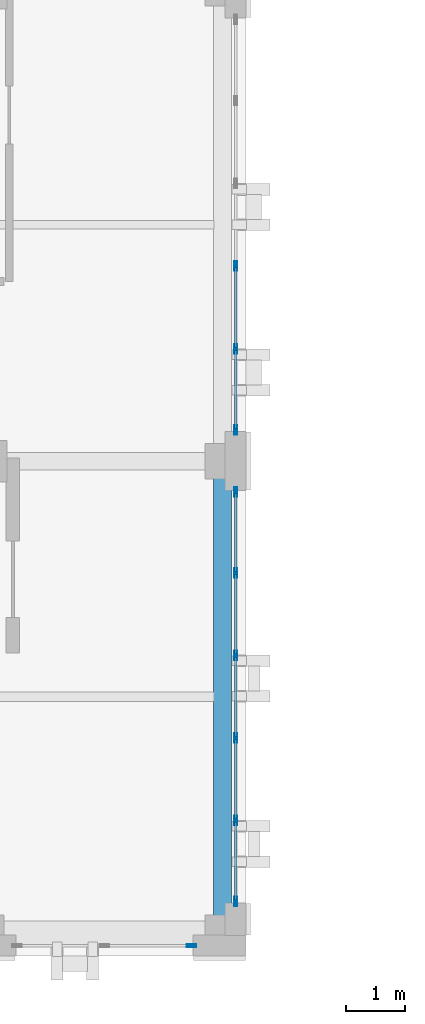
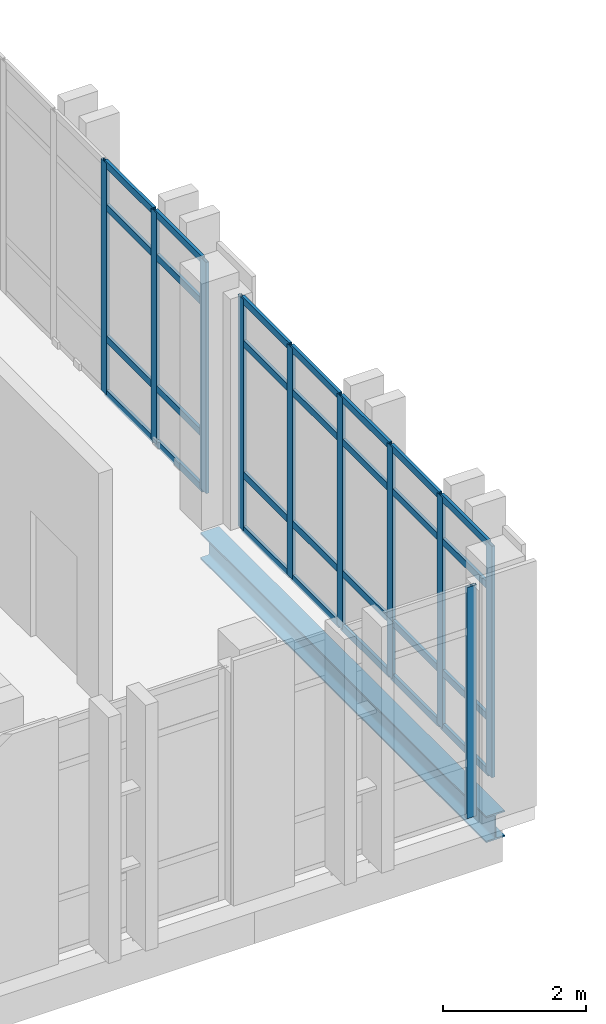
# One storey, part 7 of 48: 38 members, 1 beam, 3 elements without a shape of their own.
"""IFC4 building model written with IfcOpenShell, lengths in metres."""

from ifc_helpers import new_model, si_unit, direction, frame, origin, origin_2d, place, context, subcontext, project, spatial, hollow_rectangle, i_section, extrude, material, layer, layer_set, material_profile, profile_set, type_object, element, aggregate, save


model = new_model("IFC4")

# Units and contexts
model_context = context("Model", 3, precision=1e-05, world=origin(), true_north=direction((0.0, 1.0)))
body_context = subcontext(model_context, "Body", "Model", "MODEL_VIEW")
ifc_project = project(units=[si_unit("LENGTHUNIT", "METRE"), si_unit("AREAUNIT", "SQUARE_METRE"), si_unit("VOLUMEUNIT", "CUBIC_METRE"), si_unit("PLANEANGLEUNIT", "RADIAN"), si_unit("MASSUNIT", "GRAM", prefix="KILO")], contexts=[model_context])

# Site, building, storey
site_placement = place(None, origin())
site = spatial("IfcSite", under=ifc_project, at=site_placement, CompositionType="ELEMENT")
building_placement = place(site_placement, origin())
building = spatial("IfcBuilding", under=site, at=building_placement, Name="Qalavern Law Courts", CompositionType="ELEMENT")
storey_placement = place(building_placement, frame((0.0, 0.0, 31.199951171875)))
storey = spatial("IfcBuildingStorey", under=building, at=storey_placement, Name="L07", CompositionType="ELEMENT", Elevation=31.199951171875)

# Curtain wall, member
ifc_material_1 = material(Name="Anodised aluminium and insulated glazing", Category="aluminium")
ifc_layer = layer(ifc_material_1, 0.159912109375)
ifc_layer_set = layer_set([ifc_layer], Name="Anodised aluminium and insulated glazing")
curtain_wall_type = type_object("IfcCurtainWallType", Name="ENV-CW-CHAMB", PredefinedType="USERDEFINED", material=ifc_layer_set)
curtain_wall_1_placement = place(storey_placement, origin())
curtain_wall_1 = element("IfcCurtainWall", 1, at=curtain_wall_1_placement, inside=storey, type_object=curtain_wall_type, Name="V3 unitised curtain wall L07 south 2", ObjectType="UNITISED CURTAIN WALL", PredefinedType="USERDEFINED")
ifc_material_2 = material(Name="Anodised aluminium", Category="aluminium")
ifc_material_profile_1 = material_profile(ifc_material_2, hollow_rectangle(XDim=0.048095703125, YDim=0.159912109375, WallThickness=0.00390625, at=origin_2d()), Name="ALU MULLION 48x160")
ifc_profile_set_1 = profile_set([ifc_material_profile_1], Name="Anodised aluminium")
member_type_1 = type_object("IfcMemberType", Name="ENV-CWM-48x160", PredefinedType="MULLION", material=ifc_profile_set_1)
member_1_placement = place(storey_placement, frame((17.8759765625, 41.197509765625, 0.0), z_axis=(0.0, 0.0, 1.0), x_axis=(0.0, 1.0, 0.0)))
member_1 = element("IfcMember", 2, at=member_1_placement, type_object=member_type_1, Name="CW-04 mullion 3", PredefinedType="MULLION", context=body_context, shape_type="SweptSolid", body=[
    extrude(hollow_rectangle(XDim=0.048095703125, YDim=0.159912109375, WallThickness=0.00390625, at=origin_2d()), origin(), (0.0, 0.0, 1.0), 3.93994140625),
])
aggregate(curtain_wall_1, [member_1])

# Curtain wall, members
curtain_wall_2_placement = place(storey_placement, origin())
curtain_wall_2 = element("IfcCurtainWall", 3, at=curtain_wall_2_placement, inside=storey, type_object=curtain_wall_type, Name="V3 unitised curtain wall L07 east 1", ObjectType="UNITISED CURTAIN WALL", PredefinedType="USERDEFINED")
member_2_placement = place(storey_placement, frame((18.62255859375, 41.944091796875, 0.0), z_axis=(0.0, 0.0, 1.0), x_axis=(-1.0, 0.0, 0.0)))
member_2 = element("IfcMember", 4, at=member_2_placement, type_object=member_type_1, Name="CW-04 mullion 1", PredefinedType="MULLION", context=body_context, shape_type="SweptSolid", body=[
    extrude(hollow_rectangle(XDim=0.048095703125, YDim=0.159912109375, WallThickness=0.00390625, at=origin_2d()), origin(), (0.0, 0.0, 1.0), 3.93994140625),
])
member_3_placement = place(storey_placement, frame((18.62255859375, 43.31591796875, 0.0), z_axis=(0.0, 0.0, 1.0), x_axis=(-1.0, 0.0, 0.0)))
member_3 = element("IfcMember", 5, at=member_3_placement, type_object=member_type_1, Name="CW-04 mullion 2", PredefinedType="MULLION", context=body_context, shape_type="SweptSolid", body=[
    extrude(hollow_rectangle(XDim=0.048095703125, YDim=0.159912109375, WallThickness=0.00390625, at=origin_2d()), origin(), (0.0, 0.0, 1.0), 3.93994140625),
])
member_4_placement = place(storey_placement, frame((18.62255859375, 44.7119140625, 0.0), z_axis=(0.0, 0.0, 1.0), x_axis=(-1.0, 0.0, 0.0)))
member_4 = element("IfcMember", 6, at=member_4_placement, type_object=member_type_1, Name="CW-04 mullion 3", PredefinedType="MULLION", context=body_context, shape_type="SweptSolid", body=[
    extrude(hollow_rectangle(XDim=0.048095703125, YDim=0.159912109375, WallThickness=0.00390625, at=origin_2d()), origin(), (0.0, 0.0, 1.0), 3.93994140625),
])
member_5_placement = place(storey_placement, frame((18.62255859375, 46.10791015625, 0.0), z_axis=(0.0, 0.0, 1.0), x_axis=(-1.0, 0.0, 0.0)))
member_5 = element("IfcMember", 7, at=member_5_placement, type_object=member_type_1, Name="CW-04 mullion 4", PredefinedType="MULLION", context=body_context, shape_type="SweptSolid", body=[
    extrude(hollow_rectangle(XDim=0.048095703125, YDim=0.159912109375, WallThickness=0.00390625, at=origin_2d()), origin(), (0.0, 0.0, 1.0), 3.93994140625),
])
member_6_placement = place(storey_placement, frame((18.62255859375, 47.50390625, 0.0), z_axis=(0.0, 0.0, 1.0), x_axis=(-1.0, 0.0, 0.0)))
member_6 = element("IfcMember", 8, at=member_6_placement, type_object=member_type_1, Name="CW-04 mullion 5", PredefinedType="MULLION", context=body_context, shape_type="SweptSolid", body=[
    extrude(hollow_rectangle(XDim=0.048095703125, YDim=0.159912109375, WallThickness=0.00390625, at=origin_2d()), origin(), (0.0, 0.0, 1.0), 3.93994140625),
])
member_7_placement = place(storey_placement, frame((18.62255859375, 48.8759765625, 0.0), z_axis=(0.0, 0.0, 1.0), x_axis=(-1.0, 0.0, 0.0)))
member_7 = element("IfcMember", 9, at=member_7_placement, type_object=member_type_1, Name="CW-04 mullion 6", PredefinedType="MULLION", context=body_context, shape_type="SweptSolid", body=[
    extrude(hollow_rectangle(XDim=0.048095703125, YDim=0.159912109375, WallThickness=0.00390625, at=origin_2d()), origin(), (0.0, 0.0, 1.0), 3.93994140625),
])

curtain_wall_3_placement = place(storey_placement, origin())
curtain_wall_3 = element("IfcCurtainWall", 10, at=curtain_wall_3_placement, inside=storey, type_object=curtain_wall_type, Name="V3 unitised curtain wall L07 east 2", ObjectType="UNITISED CURTAIN WALL", PredefinedType="USERDEFINED")
member_8_placement = place(storey_placement, frame((18.62255859375, 49.924072265625, 0.0), z_axis=(0.0, 0.0, 1.0), x_axis=(-1.0, 0.0, 0.0)))
member_8 = element("IfcMember", 11, at=member_8_placement, type_object=member_type_1, Name="CW-04 mullion 1", PredefinedType="MULLION", context=body_context, shape_type="SweptSolid", body=[
    extrude(hollow_rectangle(XDim=0.048095703125, YDim=0.159912109375, WallThickness=0.00390625, at=origin_2d()), origin(), (0.0, 0.0, 1.0), 3.93994140625),
])
member_9_placement = place(storey_placement, frame((18.62255859375, 51.300048828125, 0.0), z_axis=(0.0, 0.0, 1.0), x_axis=(-1.0, 0.0, 0.0)))
member_9 = element("IfcMember", 12, at=member_9_placement, type_object=member_type_1, Name="CW-04 mullion 2", PredefinedType="MULLION", context=body_context, shape_type="SweptSolid", body=[
    extrude(hollow_rectangle(XDim=0.048095703125, YDim=0.159912109375, WallThickness=0.00390625, at=origin_2d()), origin(), (0.0, 0.0, 1.0), 3.93994140625),
])
member_10_placement = place(storey_placement, frame((18.62255859375, 52.699951171875, 0.0), z_axis=(0.0, 0.0, 1.0), x_axis=(-1.0, 0.0, 0.0)))
member_10 = element("IfcMember", 13, at=member_10_placement, type_object=member_type_1, Name="CW-04 mullion 3", PredefinedType="MULLION", context=body_context, shape_type="SweptSolid", body=[
    extrude(hollow_rectangle(XDim=0.048095703125, YDim=0.159912109375, WallThickness=0.00390625, at=origin_2d()), origin(), (0.0, 0.0, 1.0), 3.93994140625),
])

# Member
ifc_material_profile_2 = material_profile(ifc_material_2, hollow_rectangle(XDim=0.048095703125, YDim=0.1201171875, WallThickness=0.00390625, at=origin_2d()), Name="ALU TRANSOM 48x120")
ifc_profile_set_2 = profile_set([ifc_material_profile_2], Name="Anodised aluminium")
member_type_2 = type_object("IfcMemberType", Name="ENV-CWT-48x120", PredefinedType="USERDEFINED", material=ifc_profile_set_2)
member_11_placement = place(storey_placement, frame((18.62255859375, 41.968017578125, 0.024169921875), z_axis=(0.0, 1.0, 0.0), x_axis=(-1.0, 0.0, 0.0)))
member_11 = element("IfcMember", 14, at=member_11_placement, type_object=member_type_2, Name="CW-04 transom 1.1", ObjectType="TRANSOM", PredefinedType="USERDEFINED", context=body_context, shape_type="SweptSolid", body=[
    extrude(hollow_rectangle(XDim=0.048095703125, YDim=0.1201171875, WallThickness=0.00390625, at=origin_2d()), origin(), (0.0, 0.0, 1.0), 1.323974609375),
])

member_12_placement = place(storey_placement, frame((18.62255859375, 41.968017578125, 0.949951171875), z_axis=(0.0, 1.0, 0.0), x_axis=(-1.0, 0.0, 0.0)))
member_12 = element("IfcMember", 15, at=member_12_placement, type_object=member_type_2, Name="CW-04 transom 1.2", ObjectType="TRANSOM", PredefinedType="USERDEFINED", context=body_context, shape_type="SweptSolid", body=[
    extrude(hollow_rectangle(XDim=0.048095703125, YDim=0.1201171875, WallThickness=0.00390625, at=origin_2d()), origin(), (0.0, 0.0, 1.0), 1.323974609375),
])

member_13_placement = place(storey_placement, frame((18.62255859375, 41.968017578125, 3.18994140625), z_axis=(0.0, 1.0, 0.0), x_axis=(-1.0, 0.0, 0.0)))
member_13 = element("IfcMember", 16, at=member_13_placement, type_object=member_type_2, Name="CW-04 transom 1.3", ObjectType="TRANSOM", PredefinedType="USERDEFINED", context=body_context, shape_type="SweptSolid", body=[
    extrude(hollow_rectangle(XDim=0.048095703125, YDim=0.1201171875, WallThickness=0.00390625, at=origin_2d()), origin(), (0.0, 0.0, 1.0), 1.323974609375),
])

member_14_placement = place(storey_placement, frame((18.62255859375, 41.968017578125, 3.916015625), z_axis=(0.0, 1.0, 0.0), x_axis=(-1.0, 0.0, 0.0)))
member_14 = element("IfcMember", 17, at=member_14_placement, type_object=member_type_2, Name="CW-04 transom 1.4", ObjectType="TRANSOM", PredefinedType="USERDEFINED", context=body_context, shape_type="SweptSolid", body=[
    extrude(hollow_rectangle(XDim=0.048095703125, YDim=0.1201171875, WallThickness=0.00390625, at=origin_2d()), origin(), (0.0, 0.0, 1.0), 1.323974609375),
])

member_15_placement = place(storey_placement, frame((18.62255859375, 43.340087890625, 0.024169921875), z_axis=(0.0, 1.0, 0.0), x_axis=(-1.0, 0.0, 0.0)))
member_15 = element("IfcMember", 18, at=member_15_placement, type_object=member_type_2, Name="CW-04 transom 2.1", ObjectType="TRANSOM", PredefinedType="USERDEFINED", context=body_context, shape_type="SweptSolid", body=[
    extrude(hollow_rectangle(XDim=0.048095703125, YDim=0.1201171875, WallThickness=0.00390625, at=origin_2d()), origin(), (0.0, 0.0, 1.0), 1.347900390625),
])

member_16_placement = place(storey_placement, frame((18.62255859375, 43.340087890625, 0.949951171875), z_axis=(0.0, 1.0, 0.0), x_axis=(-1.0, 0.0, 0.0)))
member_16 = element("IfcMember", 19, at=member_16_placement, type_object=member_type_2, Name="CW-04 transom 2.2", ObjectType="TRANSOM", PredefinedType="USERDEFINED", context=body_context, shape_type="SweptSolid", body=[
    extrude(hollow_rectangle(XDim=0.048095703125, YDim=0.1201171875, WallThickness=0.00390625, at=origin_2d()), origin(), (0.0, 0.0, 1.0), 1.347900390625),
])

member_17_placement = place(storey_placement, frame((18.62255859375, 43.340087890625, 3.18994140625), z_axis=(0.0, 1.0, 0.0), x_axis=(-1.0, 0.0, 0.0)))
member_17 = element("IfcMember", 20, at=member_17_placement, type_object=member_type_2, Name="CW-04 transom 2.3", ObjectType="TRANSOM", PredefinedType="USERDEFINED", context=body_context, shape_type="SweptSolid", body=[
    extrude(hollow_rectangle(XDim=0.048095703125, YDim=0.1201171875, WallThickness=0.00390625, at=origin_2d()), origin(), (0.0, 0.0, 1.0), 1.347900390625),
])

member_18_placement = place(storey_placement, frame((18.62255859375, 43.340087890625, 3.916015625), z_axis=(0.0, 1.0, 0.0), x_axis=(-1.0, 0.0, 0.0)))
member_18 = element("IfcMember", 21, at=member_18_placement, type_object=member_type_2, Name="CW-04 transom 2.4", ObjectType="TRANSOM", PredefinedType="USERDEFINED", context=body_context, shape_type="SweptSolid", body=[
    extrude(hollow_rectangle(XDim=0.048095703125, YDim=0.1201171875, WallThickness=0.00390625, at=origin_2d()), origin(), (0.0, 0.0, 1.0), 1.347900390625),
])

member_19_placement = place(storey_placement, frame((18.62255859375, 44.736083984375, 0.024169921875), z_axis=(0.0, 1.0, 0.0), x_axis=(-1.0, 0.0, 0.0)))
member_19 = element("IfcMember", 22, at=member_19_placement, type_object=member_type_2, Name="CW-04 transom 3.1", ObjectType="TRANSOM", PredefinedType="USERDEFINED", context=body_context, shape_type="SweptSolid", body=[
    extrude(hollow_rectangle(XDim=0.048095703125, YDim=0.1201171875, WallThickness=0.00390625, at=origin_2d()), origin(), (0.0, 0.0, 1.0), 1.347900390625),
])

member_20_placement = place(storey_placement, frame((18.62255859375, 44.736083984375, 0.949951171875), z_axis=(0.0, 1.0, 0.0), x_axis=(-1.0, 0.0, 0.0)))
member_20 = element("IfcMember", 23, at=member_20_placement, type_object=member_type_2, Name="CW-04 transom 3.2", ObjectType="TRANSOM", PredefinedType="USERDEFINED", context=body_context, shape_type="SweptSolid", body=[
    extrude(hollow_rectangle(XDim=0.048095703125, YDim=0.1201171875, WallThickness=0.00390625, at=origin_2d()), origin(), (0.0, 0.0, 1.0), 1.347900390625),
])

member_21_placement = place(storey_placement, frame((18.62255859375, 44.736083984375, 3.18994140625), z_axis=(0.0, 1.0, 0.0), x_axis=(-1.0, 0.0, 0.0)))
member_21 = element("IfcMember", 24, at=member_21_placement, type_object=member_type_2, Name="CW-04 transom 3.3", ObjectType="TRANSOM", PredefinedType="USERDEFINED", context=body_context, shape_type="SweptSolid", body=[
    extrude(hollow_rectangle(XDim=0.048095703125, YDim=0.1201171875, WallThickness=0.00390625, at=origin_2d()), origin(), (0.0, 0.0, 1.0), 1.347900390625),
])

member_22_placement = place(storey_placement, frame((18.62255859375, 44.736083984375, 3.916015625), z_axis=(0.0, 1.0, 0.0), x_axis=(-1.0, 0.0, 0.0)))
member_22 = element("IfcMember", 25, at=member_22_placement, type_object=member_type_2, Name="CW-04 transom 3.4", ObjectType="TRANSOM", PredefinedType="USERDEFINED", context=body_context, shape_type="SweptSolid", body=[
    extrude(hollow_rectangle(XDim=0.048095703125, YDim=0.1201171875, WallThickness=0.00390625, at=origin_2d()), origin(), (0.0, 0.0, 1.0), 1.347900390625),
])

member_23_placement = place(storey_placement, frame((18.62255859375, 46.132080078125, 0.024169921875), z_axis=(0.0, 1.0, 0.0), x_axis=(-1.0, 0.0, 0.0)))
member_23 = element("IfcMember", 26, at=member_23_placement, type_object=member_type_2, Name="CW-04 transom 4.1", ObjectType="TRANSOM", PredefinedType="USERDEFINED", context=body_context, shape_type="SweptSolid", body=[
    extrude(hollow_rectangle(XDim=0.048095703125, YDim=0.1201171875, WallThickness=0.00390625, at=origin_2d()), origin(), (0.0, 0.0, 1.0), 1.347900390625),
])

member_24_placement = place(storey_placement, frame((18.62255859375, 46.132080078125, 0.949951171875), z_axis=(0.0, 1.0, 0.0), x_axis=(-1.0, 0.0, 0.0)))
member_24 = element("IfcMember", 27, at=member_24_placement, type_object=member_type_2, Name="CW-04 transom 4.2", ObjectType="TRANSOM", PredefinedType="USERDEFINED", context=body_context, shape_type="SweptSolid", body=[
    extrude(hollow_rectangle(XDim=0.048095703125, YDim=0.1201171875, WallThickness=0.00390625, at=origin_2d()), origin(), (0.0, 0.0, 1.0), 1.347900390625),
])

member_25_placement = place(storey_placement, frame((18.62255859375, 46.132080078125, 3.18994140625), z_axis=(0.0, 1.0, 0.0), x_axis=(-1.0, 0.0, 0.0)))
member_25 = element("IfcMember", 28, at=member_25_placement, type_object=member_type_2, Name="CW-04 transom 4.3", ObjectType="TRANSOM", PredefinedType="USERDEFINED", context=body_context, shape_type="SweptSolid", body=[
    extrude(hollow_rectangle(XDim=0.048095703125, YDim=0.1201171875, WallThickness=0.00390625, at=origin_2d()), origin(), (0.0, 0.0, 1.0), 1.347900390625),
])

member_26_placement = place(storey_placement, frame((18.62255859375, 46.132080078125, 3.916015625), z_axis=(0.0, 1.0, 0.0), x_axis=(-1.0, 0.0, 0.0)))
member_26 = element("IfcMember", 29, at=member_26_placement, type_object=member_type_2, Name="CW-04 transom 4.4", ObjectType="TRANSOM", PredefinedType="USERDEFINED", context=body_context, shape_type="SweptSolid", body=[
    extrude(hollow_rectangle(XDim=0.048095703125, YDim=0.1201171875, WallThickness=0.00390625, at=origin_2d()), origin(), (0.0, 0.0, 1.0), 1.347900390625),
])

member_27_placement = place(storey_placement, frame((18.62255859375, 47.528076171875, 0.024169921875), z_axis=(0.0, 1.0, 0.0), x_axis=(-1.0, 0.0, 0.0)))
member_27 = element("IfcMember", 30, at=member_27_placement, type_object=member_type_2, Name="CW-04 transom 5.1", ObjectType="TRANSOM", PredefinedType="USERDEFINED", context=body_context, shape_type="SweptSolid", body=[
    extrude(hollow_rectangle(XDim=0.048095703125, YDim=0.1201171875, WallThickness=0.00390625, at=origin_2d()), origin(), (0.0, 0.0, 1.0), 1.323974609375),
])

member_28_placement = place(storey_placement, frame((18.62255859375, 47.528076171875, 0.949951171875), z_axis=(0.0, 1.0, 0.0), x_axis=(-1.0, 0.0, 0.0)))
member_28 = element("IfcMember", 31, at=member_28_placement, type_object=member_type_2, Name="CW-04 transom 5.2", ObjectType="TRANSOM", PredefinedType="USERDEFINED", context=body_context, shape_type="SweptSolid", body=[
    extrude(hollow_rectangle(XDim=0.048095703125, YDim=0.1201171875, WallThickness=0.00390625, at=origin_2d()), origin(), (0.0, 0.0, 1.0), 1.323974609375),
])

member_29_placement = place(storey_placement, frame((18.62255859375, 47.528076171875, 3.18994140625), z_axis=(0.0, 1.0, 0.0), x_axis=(-1.0, 0.0, 0.0)))
member_29 = element("IfcMember", 32, at=member_29_placement, type_object=member_type_2, Name="CW-04 transom 5.3", ObjectType="TRANSOM", PredefinedType="USERDEFINED", context=body_context, shape_type="SweptSolid", body=[
    extrude(hollow_rectangle(XDim=0.048095703125, YDim=0.1201171875, WallThickness=0.00390625, at=origin_2d()), origin(), (0.0, 0.0, 1.0), 1.323974609375),
])

member_30_placement = place(storey_placement, frame((18.62255859375, 47.528076171875, 3.916015625), z_axis=(0.0, 1.0, 0.0), x_axis=(-1.0, 0.0, 0.0)))
member_30 = element("IfcMember", 33, at=member_30_placement, type_object=member_type_2, Name="CW-04 transom 5.4", ObjectType="TRANSOM", PredefinedType="USERDEFINED", context=body_context, shape_type="SweptSolid", body=[
    extrude(hollow_rectangle(XDim=0.048095703125, YDim=0.1201171875, WallThickness=0.00390625, at=origin_2d()), origin(), (0.0, 0.0, 1.0), 1.323974609375),
])

aggregate(curtain_wall_2, [member_2, member_3, member_4, member_5, member_6, member_7, member_11, member_12, member_13, member_14, member_15, member_16, member_17, member_18, member_19, member_20, member_21, member_22, member_23, member_24, member_25, member_26, member_27, member_28, member_29, member_30])

member_31_placement = place(storey_placement, frame((18.62255859375, 49.947998046875, 0.024169921875), z_axis=(0.0, 1.0, 0.0), x_axis=(-1.0, 0.0, 0.0)))
member_31 = element("IfcMember", 34, at=member_31_placement, type_object=member_type_2, Name="CW-04 transom 1.1", ObjectType="TRANSOM", PredefinedType="USERDEFINED", context=body_context, shape_type="SweptSolid", body=[
    extrude(hollow_rectangle(XDim=0.048095703125, YDim=0.1201171875, WallThickness=0.00390625, at=origin_2d()), origin(), (0.0, 0.0, 1.0), 1.327880859375),
])

member_32_placement = place(storey_placement, frame((18.62255859375, 49.947998046875, 0.949951171875), z_axis=(0.0, 1.0, 0.0), x_axis=(-1.0, 0.0, 0.0)))
member_32 = element("IfcMember", 35, at=member_32_placement, type_object=member_type_2, Name="CW-04 transom 1.2", ObjectType="TRANSOM", PredefinedType="USERDEFINED", context=body_context, shape_type="SweptSolid", body=[
    extrude(hollow_rectangle(XDim=0.048095703125, YDim=0.1201171875, WallThickness=0.00390625, at=origin_2d()), origin(), (0.0, 0.0, 1.0), 1.327880859375),
])

member_33_placement = place(storey_placement, frame((18.62255859375, 49.947998046875, 3.18994140625), z_axis=(0.0, 1.0, 0.0), x_axis=(-1.0, 0.0, 0.0)))
member_33 = element("IfcMember", 36, at=member_33_placement, type_object=member_type_2, Name="CW-04 transom 1.3", ObjectType="TRANSOM", PredefinedType="USERDEFINED", context=body_context, shape_type="SweptSolid", body=[
    extrude(hollow_rectangle(XDim=0.048095703125, YDim=0.1201171875, WallThickness=0.00390625, at=origin_2d()), origin(), (0.0, 0.0, 1.0), 1.327880859375),
])

member_34_placement = place(storey_placement, frame((18.62255859375, 49.947998046875, 3.916015625), z_axis=(0.0, 1.0, 0.0), x_axis=(-1.0, 0.0, 0.0)))
member_34 = element("IfcMember", 37, at=member_34_placement, type_object=member_type_2, Name="CW-04 transom 1.4", ObjectType="TRANSOM", PredefinedType="USERDEFINED", context=body_context, shape_type="SweptSolid", body=[
    extrude(hollow_rectangle(XDim=0.048095703125, YDim=0.1201171875, WallThickness=0.00390625, at=origin_2d()), origin(), (0.0, 0.0, 1.0), 1.327880859375),
])

member_35_placement = place(storey_placement, frame((18.62255859375, 51.323974609375, 0.024169921875), z_axis=(0.0, 1.0, 0.0), x_axis=(-1.0, 0.0, 0.0)))
member_35 = element("IfcMember", 38, at=member_35_placement, type_object=member_type_2, Name="CW-04 transom 2.1", ObjectType="TRANSOM", PredefinedType="USERDEFINED", context=body_context, shape_type="SweptSolid", body=[
    extrude(hollow_rectangle(XDim=0.048095703125, YDim=0.1201171875, WallThickness=0.00390625, at=origin_2d()), origin(), (0.0, 0.0, 1.0), 1.35205078125),
])

member_36_placement = place(storey_placement, frame((18.62255859375, 51.323974609375, 0.949951171875), z_axis=(0.0, 1.0, 0.0), x_axis=(-1.0, 0.0, 0.0)))
member_36 = element("IfcMember", 39, at=member_36_placement, type_object=member_type_2, Name="CW-04 transom 2.2", ObjectType="TRANSOM", PredefinedType="USERDEFINED", context=body_context, shape_type="SweptSolid", body=[
    extrude(hollow_rectangle(XDim=0.048095703125, YDim=0.1201171875, WallThickness=0.00390625, at=origin_2d()), origin(), (0.0, 0.0, 1.0), 1.35205078125),
])

member_37_placement = place(storey_placement, frame((18.62255859375, 51.323974609375, 3.18994140625), z_axis=(0.0, 1.0, 0.0), x_axis=(-1.0, 0.0, 0.0)))
member_37 = element("IfcMember", 40, at=member_37_placement, type_object=member_type_2, Name="CW-04 transom 2.3", ObjectType="TRANSOM", PredefinedType="USERDEFINED", context=body_context, shape_type="SweptSolid", body=[
    extrude(hollow_rectangle(XDim=0.048095703125, YDim=0.1201171875, WallThickness=0.00390625, at=origin_2d()), origin(), (0.0, 0.0, 1.0), 1.35205078125),
])

member_38_placement = place(storey_placement, frame((18.62255859375, 51.323974609375, 3.916015625), z_axis=(0.0, 1.0, 0.0), x_axis=(-1.0, 0.0, 0.0)))
member_38 = element("IfcMember", 41, at=member_38_placement, type_object=member_type_2, Name="CW-04 transom 2.4", ObjectType="TRANSOM", PredefinedType="USERDEFINED", context=body_context, shape_type="SweptSolid", body=[
    extrude(hollow_rectangle(XDim=0.048095703125, YDim=0.1201171875, WallThickness=0.00390625, at=origin_2d()), origin(), (0.0, 0.0, 1.0), 1.35205078125),
])

aggregate(curtain_wall_3, [member_8, member_9, member_10, member_31, member_32, member_33, member_34, member_35, member_36, member_37, member_38])

# Beam
ifc_material_3 = material(Name="Steel S355", Category="steel")
ifc_material_profile_3 = material_profile(ifc_material_3, i_section(OverallWidth=0.300048828125, OverallDepth=0.449951171875, WebThickness=0.013916015625, FlangeThickness=0.02587890625, FilletRadius=0.027099609375, at=origin_2d()), Name="HEB 450")
ifc_profile_set_3 = profile_set([ifc_material_profile_3], Name="Steel S355")
beam_type = type_object("IfcBeamType", Name="STR-SP-HEB450", PredefinedType="SPANDREL", material=ifc_profile_set_3)
beam_placement = place(storey_placement, frame((18.39990234375, 41.419921875, -0.489990234375), z_axis=(0.0, 1.0, 0.0), x_axis=(-1.0, 0.0, 0.0)))
element("IfcBeam", 42, at=beam_placement, inside=storey, type_object=beam_type, Name="V3 Y-beam 3-1 L07", PredefinedType="SPANDREL", context=body_context, shape_type="SweptSolid", body=[
    extrude(i_section(OverallWidth=0.300048828125, OverallDepth=0.449951171875, WebThickness=0.013916015625, FlangeThickness=0.02587890625, FilletRadius=0.027099609375, at=origin_2d()), origin(), (0.0, 0.0, 1.0), 7.97998046875),
])

save(model, "model.ifc")
